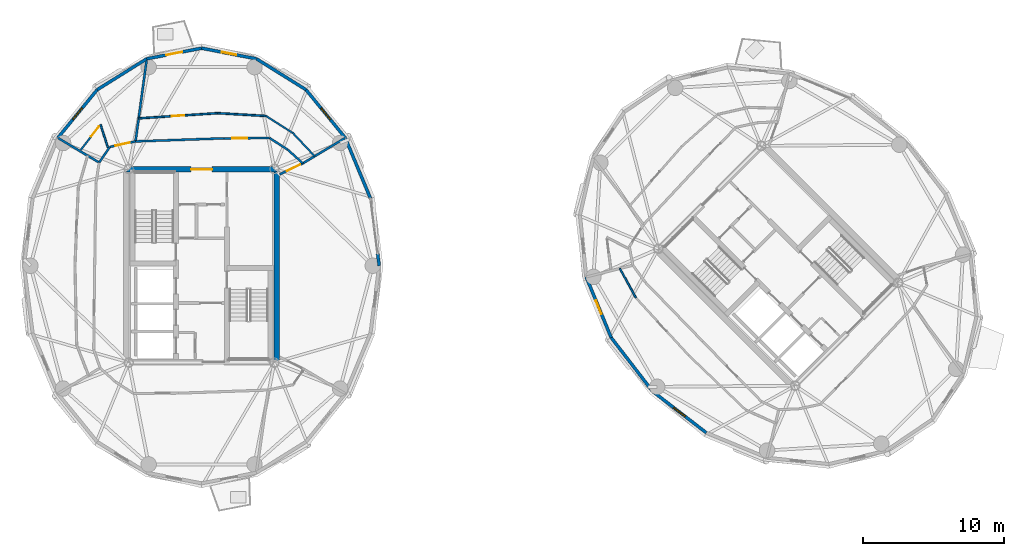
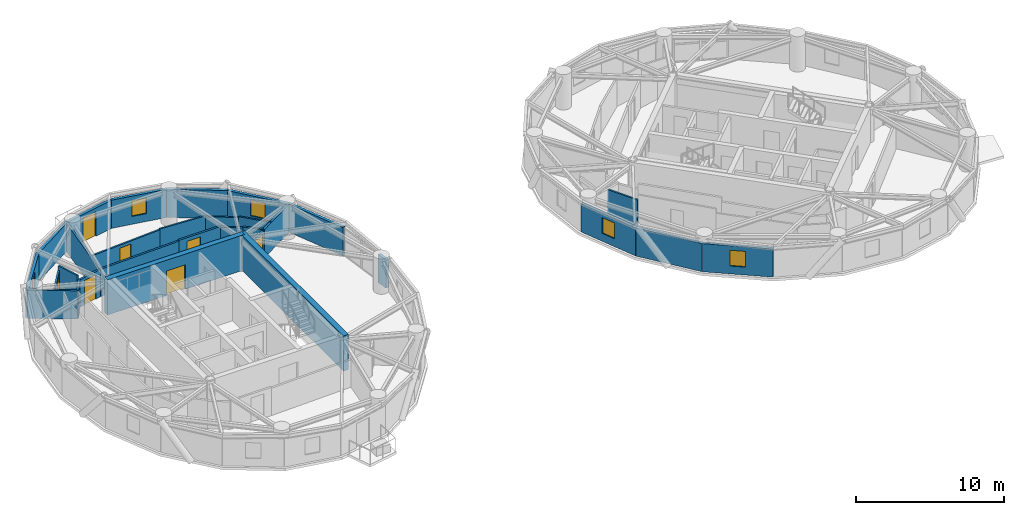
# One storey, part 9 of 16: 30 walls, 7 doors, 5 windows, 12 openings.
"""IFC4 building model written with IfcOpenShell, lengths in metres."""

import ifcopenshell
import ifcopenshell.guid

model = None  # the IFC model being written
_history = None  # IfcOwnerHistory: only IFC2X3 demands one
_inside = {}  # id of a spatial element -> (the spatial element, [elements in it])
_under = {}  # id of a project, library or spatial element -> (it, [spatial elements below it])
_declared = {}  # id of a project -> (the project, [libraries it declares])
_typed = {}  # id of a type object -> (the type object, [elements of that type])
_made_of = {}  # id of a material, layer set ... -> (it, [elements and type objects made of it])


def new_model(schema):
    """Start an empty IFC model of exactly this schema.

    Asked for "IFC4X3", IfcOpenShell would pick the latest addendum, in which some entities
    have other attributes; the version numbers below select the first issue.
    IFC2X3 requires an IfcOwnerHistory on every rooted entity: one is made here for all.
    """
    global model, _history
    if schema == "IFC4X3":
        model = ifcopenshell.file(schema_version=(4, 3, 0, 0))
    else:
        model = ifcopenshell.file(schema=schema)
    _inside.clear()
    _under.clear()
    _declared.clear()
    _typed.clear()
    _made_of.clear()
    _history = None
    if model.schema == "IFC2X3":
        org = make("IfcOrganization", Name="unknown")
        user = make(
            "IfcPersonAndOrganization",
            ThePerson=make("IfcPerson", FamilyName="unknown"),
            TheOrganization=org,
        )
        app = make(
            "IfcApplication",
            ApplicationDeveloper=org,
            Version="unknown",
            ApplicationFullName="unknown",
            ApplicationIdentifier="unknown",
        )
        _history = make(
            "IfcOwnerHistory",
            OwningUser=user,
            OwningApplication=app,
            ChangeAction="ADDED",
            CreationDate=0,
        )
    return model


def make(cls, **values):
    """One entity of the class cls with the attributes given. An attribute that is None is left unset."""
    return model.create_entity(
        cls, **{name: value for name, value in values.items() if value is not None}
    )


def rooted(cls, **values):
    """An entity with a GlobalId (a new one), such as an element, a storey or a relation."""
    return make(cls, GlobalId=ifcopenshell.guid.new(), OwnerHistory=_history, **values)


def si_unit(unit_type, name, prefix=None):
    """IfcSIUnit, for example si_unit("LENGTHUNIT", "METRE", prefix="MILLI")."""
    return make("IfcSIUnit", UnitType=unit_type, Prefix=prefix, Name=name)


def assignment(units):
    """IfcUnitAssignment: the units of a project."""
    return None if units is None else make("IfcUnitAssignment", Units=units)


def point(xyz):
    """IfcCartesianPoint."""
    return None if xyz is None else make("IfcCartesianPoint", Coordinates=xyz)


def direction(xyz):
    """IfcDirection."""
    return None if xyz is None else make("IfcDirection", DirectionRatios=xyz)


def frame(location, z_axis=None, x_axis=None):
    """IfcAxis2Placement3D, a coordinate frame: its origin and axes. An axis left out is left unset."""
    return make(
        "IfcAxis2Placement3D",
        Location=point(location),
        Axis=direction(z_axis),
        RefDirection=direction(x_axis),
    )


def frame_2d(location, x_axis=None):
    """IfcAxis2Placement2D, a coordinate frame in the plane: its origin and x axis."""
    return make(
        "IfcAxis2Placement2D", Location=point(location), RefDirection=direction(x_axis)
    )


def origin():
    """The frame at (0, 0, 0) with its axes left unset."""
    return frame((0.0, 0.0, 0.0))


def place(relative_to, where):
    """IfcLocalPlacement: puts the frame where relative to a parent placement (None: the world)."""
    return make(
        "IfcLocalPlacement", PlacementRelTo=relative_to, RelativePlacement=where
    )


def context(
    kind, dimensions, precision=None, world=None, true_north=None, identifier=None
):
    """IfcGeometricRepresentationContext, for example the 3D "Model" context."""
    return make(
        "IfcGeometricRepresentationContext",
        ContextIdentifier=identifier,
        ContextType=kind,
        CoordinateSpaceDimension=dimensions,
        Precision=precision,
        WorldCoordinateSystem=world,
        TrueNorth=true_north,
    )


def subcontext(parent, identifier, kind, view, scale=None):
    """IfcGeometricRepresentationSubContext, for example "Body" below "Model"."""
    return make(
        "IfcGeometricRepresentationSubContext",
        ContextIdentifier=identifier,
        ContextType=kind,
        ParentContext=parent,
        TargetScale=scale,
        TargetView=view,
    )


def project(units=None, contexts=None):
    """IfcProject with its units and contexts."""
    return rooted(
        "IfcProject",
        Name="project",
        RepresentationContexts=contexts,
        UnitsInContext=assignment(units),
    )


def spatial(cls, under=None, at=None, **own):
    """A site, building, storey or space (cls), placed at a placement, below another one or the project."""
    s = rooted(cls, ObjectPlacement=at, **own)
    if under is not None:
        _under.setdefault(under.id(), (under, []))[1].append(s)
    return s


def profile(cls, at=None, kind="AREA", **sizes):
    """A parametric profile (cls). Its sizes go by their IFC names, for example OverallWidth=200.0."""
    return make(cls, ProfileType=kind, Position=at, **sizes)


def rectangle(**sizes):
    """IfcRectangleProfileDef."""
    return profile("IfcRectangleProfileDef", **sizes)


def extrude(swept, where, along, depth):
    """IfcExtrudedAreaSolid: the profile swept, set in the frame where, extruded along a direction by depth."""
    return make(
        "IfcExtrudedAreaSolid",
        SweptArea=swept,
        Position=where,
        ExtrudedDirection=direction(along),
        Depth=depth,
    )


def shape(context_of_items, identifier, shape_type, items):
    """IfcShapeRepresentation: the items that make up one representation, for example the "Body"."""
    return make(
        "IfcShapeRepresentation",
        ContextOfItems=context_of_items,
        RepresentationIdentifier=identifier,
        RepresentationType=shape_type,
        Items=items,
    )


def source(mapping_origin, context_of_items, identifier, shape_type, items):
    """IfcRepresentationMap: a shape defined once, which mapped items show again and again."""
    return make(
        "IfcRepresentationMap",
        MappingOrigin=mapping_origin,
        MappedRepresentation=shape(context_of_items, identifier, shape_type, items),
    )


def transform(
    local_origin,
    x_axis=None,
    y_axis=None,
    z_axis=None,
    scale=None,
    scale2=None,
    scale3=None,
    uniform=True,
):
    """IfcCartesianTransformationOperator3D, or its non-uniform kind. x_axis, y_axis, z_axis: its Axis1, 2, 3."""
    if uniform:
        return make(
            "IfcCartesianTransformationOperator3D",
            Axis1=direction(x_axis),
            Axis2=direction(y_axis),
            LocalOrigin=point(local_origin),
            Scale=scale,
            Axis3=direction(z_axis),
        )
    return make(
        "IfcCartesianTransformationOperator3DnonUniform",
        Axis1=direction(x_axis),
        Axis2=direction(y_axis),
        LocalOrigin=point(local_origin),
        Scale=scale,
        Axis3=direction(z_axis),
        Scale2=scale2,
        Scale3=scale3,
    )


def mapped(mapping_source, mapping_target):
    """IfcMappedItem: shows the shape of a source again, moved by a transform."""
    return make(
        "IfcMappedItem", MappingSource=mapping_source, MappingTarget=mapping_target
    )


def material(Name=None, Category=None):
    """IfcMaterial."""
    return make("IfcMaterial", Name=Name, Category=Category)


def layer(
    of_material, thickness, ventilated=None, Name=None, Category=None, Priority=None
):
    """IfcMaterialLayer: one layer of a wall or slab, of a material (None: an air gap)."""
    return make(
        "IfcMaterialLayer",
        Material=of_material,
        LayerThickness=thickness,
        IsVentilated=ventilated,
        Name=Name,
        Category=Category,
        Priority=Priority,
    )


def layer_set(layers, Name=None):
    """IfcMaterialLayerSet."""
    return make("IfcMaterialLayerSet", MaterialLayers=layers, LayerSetName=Name)


def made_of(thing, what):
    """Note that an element or type object is made of a material, layer set ...; save() writes the relation."""
    if what is not None:
        _made_of.setdefault(what.id(), (what, []))[1].append(thing)
    return thing


def type_object(cls, material=None, **own):
    """A type object (cls), such as IfcWallType, which elements share."""
    return made_of(rooted(cls, **own), material)


def element(
    cls,
    number,
    at=None,
    inside=None,
    cuts=None,
    type_object=None,
    material=None,
    context=None,
    identifier="Body",
    shape_type=None,
    held_by="IfcProductDefinitionShape",
    body=None,
    shapes=None,
    **own,
):
    """One element of the class cls, such as IfcWall. Its Tag is "e" and its number.

    at: its placement. inside: the storey or other place that contains it. cuts: it is an
    opening in that element (IfcRelVoidsElement). A single representation is given by context,
    identifier, shape_type and body (its items); several are given by shapes. held_by: the class
    of the entity that holds the representations. save() writes the other relations.
    """
    e = rooted(cls, Tag="e%d" % number, ObjectPlacement=at, **own)
    if body is not None:
        shapes = [shape(context, identifier, shape_type, body)]
    if shapes is not None:
        e.Representation = make(held_by, Representations=shapes)
    if inside is not None:
        _inside.setdefault(inside.id(), (inside, []))[1].append(e)
    if cuts is not None:
        rooted(
            "IfcRelVoidsElement", RelatingBuildingElement=cuts, RelatedOpeningElement=e
        )
    if type_object is not None:
        _typed.setdefault(type_object.id(), (type_object, []))[1].append(e)
    return made_of(e, material)


def fill(opening, filler):
    """IfcRelFillsElement: the door or window that sits in an opening."""
    return rooted(
        "IfcRelFillsElement",
        RelatingOpeningElement=opening,
        RelatedBuildingElement=filler,
    )


def aggregate(whole, parts):
    """IfcRelAggregates: a whole, such as a stair, and the parts it consists of."""
    return rooted("IfcRelAggregates", RelatingObject=whole, RelatedObjects=parts)


def save(model, path):
    """Write the relations noted so far, then the file.

    IfcRelAggregates (storeys below a building ...), IfcRelContainedInSpatialStructure (elements
    in a storey), IfcRelDefinesByType, IfcRelAssociatesMaterial and IfcRelDeclares: one each for
    every whole, place, type object, material and project.
    """
    for whole, parts in _under.values():
        aggregate(whole, parts)
    for where, things in _inside.values():
        rooted(
            "IfcRelContainedInSpatialStructure",
            RelatedElements=things,
            RelatingStructure=where,
        )
    for kind, things in _typed.values():
        rooted("IfcRelDefinesByType", RelatedObjects=things, RelatingType=kind)
    for what, things in _made_of.values():
        rooted("IfcRelAssociatesMaterial", RelatedObjects=things, RelatingMaterial=what)
    for by, libraries in _declared.values():
        rooted("IfcRelDeclares", RelatingContext=by, RelatedDefinitions=libraries)
    model.write(path)


model = new_model("IFC4")

# Units and contexts
model_context = context("Model", 3, precision=1e-05, world=origin(), true_north=direction((0.0, 1.0)))
body_context = subcontext(model_context, "Body", "Model", "MODEL_VIEW")
ifc_project = project(units=[si_unit("LENGTHUNIT", "METRE"), si_unit("AREAUNIT", "SQUARE_METRE"), si_unit("VOLUMEUNIT", "CUBIC_METRE"), si_unit("PLANEANGLEUNIT", "RADIAN"), si_unit("MASSUNIT", "GRAM", prefix="KILO")], contexts=[model_context])

# Site, building, storey
site_placement = place(None, origin())
site = spatial("IfcSite", under=ifc_project, at=site_placement, CompositionType="ELEMENT")
building_placement = place(site_placement, origin())
building = spatial("IfcBuilding", under=site, at=building_placement, Name="Cununo Teusaquillo Station Towers", CompositionType="ELEMENT")
storey_placement = place(building_placement, frame((0.0, 0.0, 217.030029296875)))
storey = spatial("IfcBuildingStorey", under=building, at=storey_placement, Name="L69", CompositionType="ELEMENT", Elevation=217.030029296875)

# Wall
ifc_material_1 = material(Name="Concrete C50/60", Category="concrete")
ifc_layer_1 = layer(ifc_material_1, 0.39990234375)
ifc_layer_set_1 = layer_set([ifc_layer_1], Name="Concrete C50/60")
wall_type_1 = type_object("IfcWallType", Name="WL-CORE-400", PredefinedType="SHEAR", material=ifc_layer_set_1)
wall_1_placement = place(storey_placement, frame((21.85009765625, 17.449951171875, 0.0), z_axis=(0.0, 0.0, 1.0), x_axis=(0.0, 1.0, 0.0)))
element("IfcWall", 1, at=wall_1_placement, inside=storey, type_object=wall_type_1, Name="L69 Tower A Core Shear Wall E", PredefinedType="SHEAR", context=body_context, shape_type="SweptSolid", body=[
    extrude(rectangle(XDim=14.10009765625, YDim=0.39990234375, at=frame_2d((7.050048828125, 0.0))), origin(), (0.0, 0.0, 1.0), 2.909912109375),
])

# Wall, opening, door
wall_2_placement = place(storey_placement, frame((11.14990234375, 31.35009765625, 0.0), z_axis=(0.0, 0.0, 1.0), x_axis=(1.0, 0.0, 0.0)))
wall_2 = element("IfcWall", 2, at=wall_2_placement, inside=storey, type_object=wall_type_1, Name="L69 Tower A Core Shear Wall N", PredefinedType="SHEAR", context=body_context, shape_type="SweptSolid", body=[
    extrude(rectangle(XDim=10.7001953125, YDim=0.39990234375, at=frame_2d((5.35009765625, 0.0))), origin(), (0.0, 0.0, 1.0), 2.909912109375),
])
shared_shape_1 = source(origin(), body_context, "Body", "SweptSolid", [
    extrude(rectangle(XDim=1.5, YDim=2.02001953125, at=frame_2d((0.75, 1.010009765625))), frame((0.0, 0.2099609375, 0.0), z_axis=(0.0, -1.0, 0.0), x_axis=(1.0, 0.0, 0.0)), (0.0, 0.0, 1.0), 0.419921875),
])
opening_1_placement = place(wall_2_placement, frame((4.60009765625, 0.0, 0.0)))
opening_1 = element("IfcOpeningElement", 3, at=opening_1_placement, cuts=wall_2, Name="Opening D-LB1", PredefinedType="OPENING", context=body_context, shape_type="MappedRepresentation", body=[
    mapped(shared_shape_1, transform((0.0, 0.0, 0.0), x_axis=(1.0, 0.0, 0.0), y_axis=(0.0, 1.0, 0.0), z_axis=(0.0, 0.0, 1.0), scale=1.0)),
])
ifc_material_2 = material(Name="Galvanised fire-rated hollow steel door assembly", Category="steel")
door_type_1 = type_object("IfcDoorType", Name="DR-LOBBY-1500", OperationType="DOUBLE_DOOR_SINGLE_SWING", PredefinedType="DOOR", material=ifc_material_2)
shared_shape_2 = source(origin(), body_context, "Body", "SweptSolid", [
    extrude(rectangle(XDim=1.5, YDim=2.02001953125, at=frame_2d((0.75, 1.010009765625))), frame((0.0, 0.02490234375, 0.0), z_axis=(0.0, -1.0, 0.0), x_axis=(1.0, 0.0, 0.0)), (0.0, 0.0, 1.0), 0.050048828125),
])
door_1_placement = place(opening_1_placement, origin())
door_1 = element("IfcDoor", 4, at=door_1_placement, inside=storey, type_object=door_type_1, Name="L69 Tower A North Core Lift Lobby Door", OperationType="DOUBLE_DOOR_SINGLE_SWING", OverallHeight=2.02001953125, OverallWidth=1.5, PredefinedType="DOOR", context=body_context, shape_type="MappedRepresentation", body=[
    mapped(shared_shape_2, transform((0.0, 0.0, 0.0), x_axis=(1.0, 0.0, 0.0), y_axis=(0.0, 1.0, 0.0), z_axis=(0.0, 0.0, 1.0), scale=1.0)),
])
fill(opening_1, door_1)

# Walls
ifc_material_3 = material(Name="Precast concrete C40/50", Category="concrete")
ifc_layer_2 = layer(ifc_material_3, 0.219970703125)
ifc_layer_set_2 = layer_set([ifc_layer_2], Name="Precast concrete C40/50")
wall_type_2 = type_object("IfcWallType", Name="WL-EXT-220", PredefinedType="SOLIDWALL", material=ifc_layer_set_2)
wall_3_placement = place(storey_placement, frame((29.018310546875, 25.36279296875, 0.0), z_axis=(0.0, 0.0, 1.0), x_axis=(0.128247365719, -0.991742211054, 0.0)))
element("IfcWall", 5, at=wall_3_placement, inside=storey, type_object=wall_type_2, Name="L69 Tower A Column Pier Cladding Wall C00-PB", PredefinedType="SOLIDWALL", context=body_context, shape_type="SweptSolid", body=[
    extrude(rectangle(XDim=0.869873046875, YDim=0.219970703125, at=frame_2d((0.43505859375, 0.0))), origin(), (0.0, 0.0, 1.0), 2.322021484375),
])
wall_4_placement = place(storey_placement, frame((26.718017578125, 33.593017578125, 0.0), z_axis=(0.0, 0.0, 1.0), x_axis=(0.384036305194, -0.923317993052, 0.0)))
element("IfcWall", 6, at=wall_4_placement, inside=storey, type_object=wall_type_2, Name="L69 Tower A Exterior Facade Wall C01", PredefinedType="SOLIDWALL", context=body_context, shape_type="SweptSolid", body=[
    extrude(rectangle(XDim=4.670654296875, YDim=0.219970703125, at=frame_2d((2.33544921875, 0.0))), origin(), (0.0, 0.0, 1.0), 2.322021484375),
])

# Wall, opening, window
wall_5_placement = place(storey_placement, frame((23.923583984375, 37.015380859375, 0.0), z_axis=(0.0, 0.0, 1.0), x_axis=(0.632467166636, -0.774587169483, 0.0)))
wall_5 = element("IfcWall", 7, at=wall_5_placement, inside=storey, type_object=wall_type_2, Name="L69 Tower A Exterior Facade Wall C02", PredefinedType="SOLIDWALL", context=body_context, shape_type="SweptSolid", body=[
    extrude(rectangle(XDim=4.418212890625, YDim=0.219970703125, at=frame_2d((2.208984375, 0.0))), origin(), (0.0, 0.0, 1.0), 2.322021484375),
])
shared_shape_3 = source(origin(), body_context, "Body", "SweptSolid", [
    extrude(rectangle(XDim=1.050048828125, YDim=1.300048828125, at=frame_2d((0.52490234375, 0.64990234375))), frame((0.0, 0.119873046875, 0.0), z_axis=(0.0, -1.0, 0.0), x_axis=(1.0, 0.0, 0.0)), (0.0, 0.0, 1.0), 0.239990234375),
])
opening_2_placement = place(wall_5_placement, frame((1.68408203125, 0.0, 0.64990234375)))
opening_2 = element("IfcOpeningElement", 8, at=opening_2_placement, cuts=wall_5, Name="Opening WN-04", PredefinedType="OPENING", context=body_context, shape_type="MappedRepresentation", body=[
    mapped(shared_shape_3, transform((0.0, 0.0, 0.0), x_axis=(1.0, 0.0, 0.0), y_axis=(0.0, 1.0, 0.0), z_axis=(0.0, 0.0, 1.0), scale=1.0)),
])
ifc_material_4 = material(Name="Operable acoustic tinted low-E double glazing", Category="glass")
window_type = type_object("IfcWindowType", Name="WIN-BAL-1050", PartitioningType="SINGLE_PANEL", PredefinedType="WINDOW", material=ifc_material_4)
shared_shape_4 = source(origin(), body_context, "Body", "SweptSolid", [
    extrude(rectangle(XDim=1.050048828125, YDim=1.300048828125, at=frame_2d((0.52490234375, 0.64990234375))), frame((0.0, 0.030029296875, 0.0), z_axis=(0.0, -1.0, 0.0), x_axis=(1.0, 0.0, 0.0)), (0.0, 0.0, 1.0), 0.06005859375),
])
window_1_placement = place(opening_2_placement, origin())
window_1 = element("IfcWindow", 9, at=window_1_placement, inside=storey, type_object=window_type, Name="L69 Tower A Facade Window C02", OverallHeight=1.300048828125, OverallWidth=1.050048828125, PartitioningType="SINGLE_PANEL", PredefinedType="WINDOW", context=body_context, shape_type="MappedRepresentation", body=[
    mapped(shared_shape_4, transform((0.0, 0.0, 0.0), x_axis=(1.0, 0.0, 0.0), y_axis=(0.0, 1.0, 0.0), z_axis=(0.0, 0.0, 1.0), scale=1.0)),
])
fill(opening_2, window_1)

# Wall
wall_6_placement = place(storey_placement, frame((20.40283203125, 39.212890625, 0.0), z_axis=(0.0, 0.0, 1.0), x_axis=(0.848318713376, -0.529485939886, 0.0)))
element("IfcWall", 10, at=wall_6_placement, inside=storey, type_object=wall_type_2, Name="L69 Tower A Exterior Facade Wall C03", PredefinedType="SOLIDWALL", context=body_context, shape_type="SweptSolid", body=[
    extrude(rectangle(XDim=4.150390625, YDim=0.219970703125, at=frame_2d((2.0751953125, 0.0))), origin(), (0.0, 0.0, 1.0), 2.322021484375),
])

# Wall, opening, window
wall_7_placement = place(storey_placement, frame((16.5, 39.969970703125, 0.0), z_axis=(0.0, 0.0, 1.0), x_axis=(0.981700307484, -0.190432419211, 0.0)))
wall_7 = element("IfcWall", 11, at=wall_7_placement, inside=storey, type_object=wall_type_2, Name="L69 Tower A Exterior Facade Wall C04", PredefinedType="SOLIDWALL", context=body_context, shape_type="SweptSolid", body=[
    extrude(rectangle(XDim=3.9755859375, YDim=0.219970703125, at=frame_2d((1.98779296875, 0.0))), origin(), (0.0, 0.0, 1.0), 2.322021484375),
])
opening_3_placement = place(wall_7_placement, frame((1.462890625, 0.0, 0.64990234375)))
opening_3 = element("IfcOpeningElement", 12, at=opening_3_placement, cuts=wall_7, Name="Opening WN-04", PredefinedType="OPENING", context=body_context, shape_type="MappedRepresentation", body=[
    mapped(shared_shape_3, transform((0.0, 0.0, 0.0), x_axis=(1.0, 0.0, 0.0), y_axis=(0.0, 1.0, 0.0), z_axis=(0.0, 0.0, 1.0), scale=1.0)),
])
window_2_placement = place(opening_3_placement, origin())
window_2 = element("IfcWindow", 13, at=window_2_placement, inside=storey, type_object=window_type, Name="L69 Tower A Facade Window C04", OverallHeight=1.300048828125, OverallWidth=1.050048828125, PartitioningType="SINGLE_PANEL", PredefinedType="WINDOW", context=body_context, shape_type="MappedRepresentation", body=[
    mapped(shared_shape_4, transform((0.0, 0.0, 0.0), x_axis=(1.0, 0.0, 0.0), y_axis=(0.0, 1.0, 0.0), z_axis=(0.0, 0.0, 1.0), scale=1.0)),
])
fill(opening_3, window_2)

# Wall, opening, door
wall_8_placement = place(storey_placement, frame((12.59716796875, 39.212890625, 0.0), z_axis=(0.0, 0.0, 1.0), x_axis=(0.981700307484, 0.190432419211, 0.0)))
wall_8 = element("IfcWall", 14, at=wall_8_placement, inside=storey, type_object=wall_type_2, Name="L69 Tower A Exterior Facade Wall C05", PredefinedType="SOLIDWALL", context=body_context, shape_type="SweptSolid", body=[
    extrude(rectangle(XDim=3.9755859375, YDim=0.219970703125, at=frame_2d((1.98779296875, 0.0))), origin(), (0.0, 0.0, 1.0), 2.322021484375),
])
shared_shape_5 = source(origin(), body_context, "Body", "SweptSolid", [
    extrude(rectangle(XDim=1.14990234375, YDim=2.0048828125, at=frame_2d((0.574951171875, 1.00244140625))), frame((0.0, 0.119873046875, 0.0), z_axis=(0.0, -1.0, 0.0), x_axis=(1.0, 0.0, 0.0)), (0.0, 0.0, 1.0), 0.239990234375),
])
opening_4_placement = place(wall_8_placement, frame((1.4130859375, 0.0, 0.0)))
opening_4 = element("IfcOpeningElement", 15, at=opening_4_placement, cuts=wall_8, Name="Opening ED-03", PredefinedType="OPENING", context=body_context, shape_type="MappedRepresentation", body=[
    mapped(shared_shape_5, transform((0.0, 0.0, 0.0), x_axis=(1.0, 0.0, 0.0), y_axis=(0.0, 1.0, 0.0), z_axis=(0.0, 0.0, 1.0), scale=1.0)),
])
ifc_material_5 = material(Name="Anodised dark bronze aluminium EN AW-6063-T6", Category="aluminium")
door_type_2 = type_object("IfcDoorType", Name="DR-EXT-BAL", OperationType="NOTDEFINED", PredefinedType="DOOR", material=ifc_material_5)
shared_shape_6 = source(origin(), body_context, "Body", "SweptSolid", [
    extrude(rectangle(XDim=1.14990234375, YDim=2.0048828125, at=frame_2d((0.574951171875, 1.00244140625))), frame((0.0, 0.02490234375, 0.0), z_axis=(0.0, -1.0, 0.0), x_axis=(1.0, 0.0, 0.0)), (0.0, 0.0, 1.0), 0.050048828125),
])
door_2_placement = place(opening_4_placement, origin())
door_2 = element("IfcDoor", 16, at=door_2_placement, inside=storey, type_object=door_type_2, Name="L69 Tower A Tree Balcony Door C05", OperationType="SINGLE_SWING_LEFT", OverallHeight=2.0048828125, OverallWidth=1.14990234375, PredefinedType="DOOR", context=body_context, shape_type="MappedRepresentation", body=[
    mapped(shared_shape_6, transform((0.0, 0.0, 0.0), x_axis=(1.0, 0.0, 0.0), y_axis=(0.0, 1.0, 0.0), z_axis=(0.0, 0.0, 1.0), scale=1.0)),
])
fill(opening_4, door_2)

# Wall
wall_9_placement = place(storey_placement, frame((9.076416015625, 37.015380859375, 0.0), z_axis=(0.0, 0.0, 1.0), x_axis=(0.848318713376, 0.529485939886, 0.0)))
element("IfcWall", 17, at=wall_9_placement, inside=storey, type_object=wall_type_2, Name="L69 Tower A Exterior Facade Wall C06", PredefinedType="SOLIDWALL", context=body_context, shape_type="SweptSolid", body=[
    extrude(rectangle(XDim=4.150390625, YDim=0.219970703125, at=frame_2d((2.0751953125, 0.0))), origin(), (0.0, 0.0, 1.0), 2.322021484375),
])

# Wall, opening, window
wall_10_placement = place(storey_placement, frame((6.281982421875, 33.593017578125, 0.0), z_axis=(0.0, 0.0, 1.0), x_axis=(0.632467166636, 0.774587169483, 0.0)))
wall_10 = element("IfcWall", 18, at=wall_10_placement, inside=storey, type_object=wall_type_2, Name="L69 Tower A Exterior Facade Wall C07", PredefinedType="SOLIDWALL", context=body_context, shape_type="SweptSolid", body=[
    extrude(rectangle(XDim=4.418212890625, YDim=0.219970703125, at=frame_2d((2.208984375, 0.0))), origin(), (0.0, 0.0, 1.0), 2.322021484375),
])
opening_5_placement = place(wall_10_placement, frame((1.68408203125, 0.0, 0.64990234375)))
opening_5 = element("IfcOpeningElement", 19, at=opening_5_placement, cuts=wall_10, Name="Opening WN-04", PredefinedType="OPENING", context=body_context, shape_type="MappedRepresentation", body=[
    mapped(shared_shape_3, transform((0.0, 0.0, 0.0), x_axis=(1.0, 0.0, 0.0), y_axis=(0.0, 1.0, 0.0), z_axis=(0.0, 0.0, 1.0), scale=1.0)),
])
window_3_placement = place(opening_5_placement, origin())
window_3 = element("IfcWindow", 20, at=window_3_placement, inside=storey, type_object=window_type, Name="L69 Tower A Facade Window C07", OverallHeight=1.300048828125, OverallWidth=1.050048828125, PartitioningType="SINGLE_PANEL", PredefinedType="WINDOW", context=body_context, shape_type="MappedRepresentation", body=[
    mapped(shared_shape_4, transform((0.0, 0.0, 0.0), x_axis=(1.0, 0.0, 0.0), y_axis=(0.0, 1.0, 0.0), z_axis=(0.0, 0.0, 1.0), scale=1.0)),
])
fill(opening_5, window_3)

wall_11_placement = place(storey_placement, frame((45.626220703125, 19.38671875, 0.0), z_axis=(0.0, 0.0, 1.0), x_axis=(-0.381309704956, 0.924447353237, 0.0)))
wall_11 = element("IfcWall", 21, at=wall_11_placement, inside=storey, type_object=wall_type_2, Name="L69 Tower B Exterior Facade Wall C08", PredefinedType="SOLIDWALL", context=body_context, shape_type="SweptSolid", body=[
    extrude(rectangle(XDim=4.670654296875, YDim=0.219970703125, at=frame_2d((2.33544921875, 0.0))), origin(), (0.0, 0.0, 1.0), 2.322021484375),
])
opening_6_placement = place(wall_11_placement, frame((1.81005859375, 0.0, 0.64990234375)))
opening_6 = element("IfcOpeningElement", 22, at=opening_6_placement, cuts=wall_11, Name="Opening WN-04", PredefinedType="OPENING", context=body_context, shape_type="MappedRepresentation", body=[
    mapped(shared_shape_3, transform((0.0, 0.0, 0.0), x_axis=(1.0, 0.0, 0.0), y_axis=(0.0, 1.0, 0.0), z_axis=(0.0, 0.0, 1.0), scale=1.0)),
])
window_4_placement = place(opening_6_placement, origin())
window_4 = element("IfcWindow", 23, at=window_4_placement, inside=storey, type_object=window_type, Name="L69 Tower B Facade Window C08", OverallHeight=1.300048828125, OverallWidth=1.050048828125, PartitioningType="SINGLE_PANEL", PredefinedType="WINDOW", context=body_context, shape_type="MappedRepresentation", body=[
    mapped(shared_shape_4, transform((0.0, 0.0, 0.0), x_axis=(1.0, 0.0, 0.0), y_axis=(0.0, 1.0, 0.0), z_axis=(0.0, 0.0, 1.0), scale=1.0)),
])
fill(opening_6, window_4)

# Wall
wall_12_placement = place(storey_placement, frame((48.569091796875, 15.569091796875, 0.0), z_axis=(0.0, 0.0, 1.0), x_axis=(-0.610523083886, 0.791998462147, 0.0)))
element("IfcWall", 24, at=wall_12_placement, inside=storey, type_object=wall_type_2, Name="L69 Tower B Exterior Facade Wall C09", PredefinedType="SOLIDWALL", context=body_context, shape_type="SweptSolid", body=[
    extrude(rectangle(XDim=4.8203125, YDim=0.219970703125, at=frame_2d((2.41015625, 0.0))), origin(), (0.0, 0.0, 1.0), 2.322021484375),
])

# Wall, opening, window
wall_13_placement = place(storey_placement, frame((52.38671875, 12.626220703125, 0.0), z_axis=(0.0, 0.0, 1.0), x_axis=(-0.791998462147, 0.610523083886, 0.0)))
wall_13 = element("IfcWall", 25, at=wall_13_placement, inside=storey, type_object=wall_type_2, Name="L69 Tower B Exterior Facade Wall C10", PredefinedType="SOLIDWALL", context=body_context, shape_type="SweptSolid", body=[
    extrude(rectangle(XDim=4.8203125, YDim=0.219970703125, at=frame_2d((2.41015625, 0.0))), origin(), (0.0, 0.0, 1.0), 2.322021484375),
])
opening_7_placement = place(wall_13_placement, frame((1.885009765625, 0.0, 0.64990234375)))
opening_7 = element("IfcOpeningElement", 26, at=opening_7_placement, cuts=wall_13, Name="Opening WN-04", PredefinedType="OPENING", context=body_context, shape_type="MappedRepresentation", body=[
    mapped(shared_shape_3, transform((0.0, 0.0, 0.0), x_axis=(1.0, 0.0, 0.0), y_axis=(0.0, 1.0, 0.0), z_axis=(0.0, 0.0, 1.0), scale=1.0)),
])
window_5_placement = place(opening_7_placement, origin())
window_5 = element("IfcWindow", 27, at=window_5_placement, inside=storey, type_object=window_type, Name="L69 Tower B Facade Window C10", OverallHeight=1.300048828125, OverallWidth=1.050048828125, PartitioningType="SINGLE_PANEL", PredefinedType="WINDOW", context=body_context, shape_type="MappedRepresentation", body=[
    mapped(shared_shape_4, transform((0.0, 0.0, 0.0), x_axis=(1.0, 0.0, 0.0), y_axis=(0.0, 1.0, 0.0), z_axis=(0.0, 0.0, 1.0), scale=1.0)),
])
fill(opening_7, window_5)

# Walls
ifc_material_6 = material(Name="Fire-rated gypsum plasterboard partition assembly", Category="gypsum")
ifc_layer_3 = layer(ifc_material_6, 0.125)
ifc_layer_set_3 = layer_set([ifc_layer_3], Name="Fire-rated gypsum plasterboard partition assembly")
wall_type_3 = type_object("IfcWallType", Name="WL-PART-125", PredefinedType="PARTITIONING", material=ifc_layer_set_3)
wall_14_placement = place(storey_placement, frame((24.54150390625, 32.288330078125, 0.0), z_axis=(0.0, 0.0, 1.0), x_axis=(-0.68501091047, 0.72853280814, 0.0)))
element("IfcWall", 28, at=wall_14_placement, inside=storey, type_object=wall_type_3, Name="L69 Tower A Summit Champagne & Dining Salon Concentric Partition Wall C02", PredefinedType="PARTITIONING", context=body_context, shape_type="SweptSolid", body=[
    extrude(rectangle(XDim=2.2607421875, YDim=0.125, at=frame_2d((1.13037109375, 0.0))), origin(), (0.0, 0.0, 1.0), 2.322021484375),
])
wall_15_placement = place(storey_placement, frame((22.992919921875, 33.935302734375, 0.0), z_axis=(0.0, 0.0, 1.0), x_axis=(-0.844312558894, 0.535851008112, 0.0)))
element("IfcWall", 29, at=wall_15_placement, inside=storey, type_object=wall_type_3, Name="L69 Tower A Summit Champagne & Dining Salon Concentric Partition Wall C03", PredefinedType="PARTITIONING", context=body_context, shape_type="SweptSolid", body=[
    extrude(rectangle(XDim=2.267578125, YDim=0.125, at=frame_2d((1.1337890625, 0.0))), origin(), (0.0, 0.0, 1.0), 2.2548828125),
])
wall_16_placement = place(storey_placement, frame((21.078369140625, 35.150390625, 0.0), z_axis=(0.0, 0.0, 1.0), x_axis=(-0.99833900121, 0.057612834184, 0.0)))
element("IfcWall", 30, at=wall_16_placement, inside=storey, type_object=wall_type_3, Name="L69 Tower A Summit Champagne & Dining Salon Concentric Partition Wall C04", PredefinedType="PARTITIONING", context=body_context, shape_type="SweptSolid", body=[
    extrude(rectangle(XDim=3.445068359375, YDim=0.125, at=frame_2d((1.72265625, 0.0))), origin(), (0.0, 0.0, 1.0), 2.322021484375),
])

# Wall, opening, door
wall_17_placement = place(storey_placement, frame((17.638916015625, 35.348876953125, 0.0), z_axis=(0.0, 0.0, 1.0), x_axis=(-0.997849042159, -0.065553711275, 0.0)))
wall_17 = element("IfcWall", 31, at=wall_17_placement, inside=storey, type_object=wall_type_3, Name="L69 Tower A Summit Champagne & Dining Salon Concentric Partition Wall C05", PredefinedType="PARTITIONING", context=body_context, shape_type="SweptSolid", body=[
    extrude(rectangle(XDim=5.623779296875, YDim=0.125, at=frame_2d((2.81201171875, 0.0))), origin(), (0.0, 0.0, 1.0), 2.2548828125),
])
shared_shape_7 = source(origin(), body_context, "Body", "SweptSolid", [
    extrude(rectangle(XDim=0.89990234375, YDim=2.0048828125, at=frame_2d((0.449951171875, 1.00244140625))), frame((0.0, 0.072509765625, 0.0), z_axis=(0.0, -1.0, 0.0), x_axis=(1.0, 0.0, 0.0)), (0.0, 0.0, 1.0), 0.14501953125),
])
opening_8_placement = place(wall_17_placement, frame((2.36181640625, 0.0, 0.0)))
opening_8 = element("IfcOpeningElement", 32, at=opening_8_placement, cuts=wall_17, Name="Opening D-IN1", PredefinedType="OPENING", context=body_context, shape_type="MappedRepresentation", body=[
    mapped(shared_shape_7, transform((0.0, 0.0, 0.0), x_axis=(1.0, 0.0, 0.0), y_axis=(0.0, 1.0, 0.0), z_axis=(0.0, 0.0, 1.0), scale=1.0)),
])
ifc_material_7 = material(Name="Acoustic solid-core hardwood leaf assembly", Category="wood")
door_type_3 = type_object("IfcDoorType", Name="DR-INT-900", OperationType="NOTDEFINED", PredefinedType="DOOR", material=ifc_material_7)
shared_shape_8 = source(origin(), body_context, "Body", "SweptSolid", [
    extrude(rectangle(XDim=0.89990234375, YDim=2.0048828125, at=frame_2d((0.449951171875, 1.00244140625))), frame((0.0, 0.02490234375, 0.0), z_axis=(0.0, -1.0, 0.0), x_axis=(1.0, 0.0, 0.0)), (0.0, 0.0, 1.0), 0.050048828125),
])
door_3_placement = place(opening_8_placement, origin())
door_3 = element("IfcDoor", 33, at=door_3_placement, inside=storey, type_object=door_type_3, Name="L69 Tower A Summit Champagne & Dining Salon Connecting Door", OperationType="SINGLE_SWING_RIGHT", OverallHeight=2.0048828125, OverallWidth=0.89990234375, PredefinedType="DOOR", context=body_context, shape_type="MappedRepresentation", body=[
    mapped(shared_shape_8, transform((0.0, 0.0, 0.0), x_axis=(1.0, 0.0, 0.0), y_axis=(0.0, 1.0, 0.0), z_axis=(0.0, 0.0, 1.0), scale=1.0)),
])
fill(opening_8, door_3)

# Wall
wall_18_placement = place(storey_placement, frame((9.83544921875, 32.906005859375, 0.0), z_axis=(0.0, 0.0, 1.0), x_axis=(-0.300376803481, 0.953820620416, 0.0)))
element("IfcWall", 34, at=wall_18_placement, inside=storey, type_object=wall_type_3, Name="L69 Tower A S02 En-suite Side Wall", PredefinedType="PARTITIONING", context=body_context, shape_type="SweptSolid", body=[
    extrude(rectangle(XDim=1.718994140625, YDim=0.125, at=frame_2d((0.859375, 0.0))), origin(), (0.0, 0.0, 1.0), 2.68505859375),
])

# Wall, opening, door
wall_19_placement = place(storey_placement, frame((9.2763671875, 34.49072265625, 0.0), z_axis=(0.0, 0.0, 1.0), x_axis=(-0.615039973806, -0.788495929362, 0.0)))
wall_19 = element("IfcWall", 35, at=wall_19_placement, inside=storey, type_object=wall_type_3, Name="L69 Tower A S02 En-suite Back Wall", PredefinedType="PARTITIONING", context=body_context, shape_type="SweptSolid", body=[
    extrude(rectangle(XDim=2.22802734375, YDim=0.125, at=frame_2d((1.114013671875, 0.0))), origin(), (0.0, 0.0, 1.0), 2.322021484375),
])
opening_9_placement = place(wall_19_placement, frame((0.1201171875, 0.0, 0.0)))
opening_9 = element("IfcOpeningElement", 36, at=opening_9_placement, cuts=wall_19, Name="Opening D-IN1", PredefinedType="OPENING", context=body_context, shape_type="MappedRepresentation", body=[
    mapped(shared_shape_7, transform((0.0, 0.0, 0.0), x_axis=(1.0, 0.0, 0.0), y_axis=(0.0, 1.0, 0.0), z_axis=(0.0, 0.0, 1.0), scale=1.0)),
])
door_4_placement = place(opening_9_placement, origin())
door_4 = element("IfcDoor", 37, at=door_4_placement, inside=storey, type_object=door_type_3, Name="L69 Tower A S02 En-suite Bathroom Door", OperationType="SINGLE_SWING_RIGHT", OverallHeight=2.0048828125, OverallWidth=0.89990234375, PredefinedType="DOOR", context=body_context, shape_type="MappedRepresentation", body=[
    mapped(shared_shape_8, transform((0.0, 0.0, 0.0), x_axis=(1.0, 0.0, 0.0), y_axis=(0.0, 1.0, 0.0), z_axis=(0.0, 0.0, 1.0), scale=1.0)),
])
fill(opening_9, door_4)

# Walls
wall_20_placement = place(storey_placement, frame((46.239501953125, 24.306884765625, 0.0), z_axis=(0.0, 0.0, 1.0), x_axis=(0.479212341296, -0.87769899849, 0.0)))
element("IfcWall", 38, at=wall_20_placement, inside=storey, type_object=wall_type_3, Name="L69 Tower B Cordillera Pinnacle Club Concentric Partition Wall C08", PredefinedType="PARTITIONING", context=body_context, shape_type="SweptSolid", body=[
    extrude(rectangle(XDim=2.3740234375, YDim=0.125, at=frame_2d((1.18701171875, 0.0))), origin(), (0.0, 0.0, 1.0), 2.2548828125),
])
ifc_material_8 = material(Name="Fire-rated gypsum plasterboard partition assembly", Category="gypsum")
ifc_layer_4 = layer(ifc_material_8, 0.14990234375)
ifc_layer_set_4 = layer_set([ifc_layer_4], Name="Fire-rated gypsum plasterboard partition assembly")
wall_type_4 = type_object("IfcWallType", Name="WL-PART-150", PredefinedType="PARTITIONING", material=ifc_layer_set_4)
wall_21_placement = place(storey_placement, frame((23.701416015625, 31.78564453125, 0.0), z_axis=(0.0, 0.0, 1.0), x_axis=(-0.743742806382, 0.668465883913, 0.0)))
element("IfcWall", 39, at=wall_21_placement, inside=storey, type_object=wall_type_4, Name="L69 Tower A Corridor Ring Wall C02", PredefinedType="PARTITIONING", context=body_context, shape_type="SweptSolid", body=[
    extrude(rectangle(XDim=1.43359375, YDim=0.14990234375, at=frame_2d((0.716796875, 0.0))), origin(), (0.0, 0.0, 1.0), 2.322021484375),
])
wall_22_placement = place(storey_placement, frame((22.63525390625, 32.743896484375, 0.0), z_axis=(0.0, 0.0, 1.0), x_axis=(-0.840119270642, 0.542401706391, 0.0)))
element("IfcWall", 40, at=wall_22_placement, inside=storey, type_object=wall_type_4, Name="L69 Tower A Corridor Ring Wall C03", PredefinedType="PARTITIONING", context=body_context, shape_type="SweptSolid", body=[
    extrude(rectangle(XDim=1.53759765625, YDim=0.14990234375, at=frame_2d((0.768798828125, 0.0))), origin(), (0.0, 0.0, 1.0), 2.2548828125),
])

# Wall, opening, door
wall_23_placement = place(storey_placement, frame((21.343505859375, 33.577880859375, 0.0), z_axis=(0.0, 0.0, 1.0), x_axis=(-0.999984243152, -0.005613684, 0.0)))
wall_23 = element("IfcWall", 41, at=wall_23_placement, inside=storey, type_object=wall_type_4, Name="L69 Tower A Corridor Ring Wall C04", PredefinedType="PARTITIONING", context=body_context, shape_type="SweptSolid", body=[
    extrude(rectangle(XDim=3.26171875, YDim=0.14990234375, at=frame_2d((1.630859375, 0.0))), origin(), (0.0, 0.0, 1.0), 2.322021484375),
])
shared_shape_9 = source(origin(), body_context, "Body", "SweptSolid", [
    extrude(rectangle(XDim=1.050048828125, YDim=2.014892578125, at=frame_2d((0.52490234375, 1.00732421875))), frame((0.0, 0.0849609375, 0.0), z_axis=(0.0, -1.0, 0.0), x_axis=(1.0, 0.0, 0.0)), (0.0, 0.0, 1.0), 0.169921875),
])
opening_10_placement = place(wall_23_placement, frame((1.598876953125, 0.0, 0.0)))
opening_10 = element("IfcOpeningElement", 42, at=opening_10_placement, cuts=wall_23, Name="Opening D-SU1", PredefinedType="OPENING", context=body_context, shape_type="MappedRepresentation", body=[
    mapped(shared_shape_9, transform((0.0, 0.0, 0.0), x_axis=(1.0, 0.0, 0.0), y_axis=(0.0, 1.0, 0.0), z_axis=(0.0, 0.0, 1.0), scale=1.0)),
])
ifc_material_9 = material(Name="Acoustic solid-core hardwood leaf assembly", Category="wood")
door_type_4 = type_object("IfcDoorType", Name="DR-SUITE-1050", OperationType="NOTDEFINED", PredefinedType="DOOR", material=ifc_material_9)
shared_shape_10 = source(origin(), body_context, "Body", "SweptSolid", [
    extrude(rectangle(XDim=1.050048828125, YDim=2.014892578125, at=frame_2d((0.52490234375, 1.00732421875))), frame((0.0, 0.02490234375, 0.0), z_axis=(0.0, -1.0, 0.0), x_axis=(1.0, 0.0, 0.0)), (0.0, 0.0, 1.0), 0.050048828125),
])
door_5_placement = place(opening_10_placement, origin())
door_5 = element("IfcDoor", 43, at=door_5_placement, inside=storey, type_object=door_type_4, Name="L69 Tower A Summit Champagne & Dining Salon Entrance Door", OperationType="SINGLE_SWING_LEFT", OverallHeight=2.014892578125, OverallWidth=1.050048828125, PredefinedType="DOOR", context=body_context, shape_type="MappedRepresentation", body=[
    mapped(shared_shape_10, transform((0.0, 0.0, 0.0), x_axis=(1.0, 0.0, 0.0), y_axis=(0.0, 1.0, 0.0), z_axis=(0.0, 0.0, 1.0), scale=1.0)),
])
fill(opening_10, door_5)

# Wall
wall_24_placement = place(storey_placement, frame((18.081787109375, 33.5595703125, 0.0), z_axis=(0.0, 0.0, 1.0), x_axis=(-0.999399009709, -0.034664382185, 0.0)))
element("IfcWall", 44, at=wall_24_placement, inside=storey, type_object=wall_type_4, Name="L69 Tower A Corridor Ring Wall C05", PredefinedType="PARTITIONING", context=body_context, shape_type="SweptSolid", body=[
    extrude(rectangle(XDim=6.2822265625, YDim=0.14990234375, at=frame_2d((3.14111328125, 0.0))), origin(), (0.0, 0.0, 1.0), 2.2548828125),
])

# Wall, opening, door
wall_25_placement = place(storey_placement, frame((11.80322265625, 33.341796875, 0.0), z_axis=(0.0, 0.0, 1.0), x_axis=(-0.977750742783, -0.209770076483, 0.0)))
wall_25 = element("IfcWall", 45, at=wall_25_placement, inside=storey, type_object=wall_type_4, Name="L69 Tower A Corridor Ring Wall C06", PredefinedType="PARTITIONING", context=body_context, shape_type="SweptSolid", body=[
    extrude(rectangle(XDim=1.867919921875, YDim=0.14990234375, at=frame_2d((0.93408203125, 0.0))), origin(), (0.0, 0.0, 1.0), 2.2548828125),
])
opening_11_placement = place(wall_25_placement, frame((0.4091796875, 0.0, 0.0)))
opening_11 = element("IfcOpeningElement", 46, at=opening_11_placement, cuts=wall_25, Name="Opening D-SU1", PredefinedType="OPENING", context=body_context, shape_type="MappedRepresentation", body=[
    mapped(shared_shape_9, transform((0.0, 0.0, 0.0), x_axis=(1.0, 0.0, 0.0), y_axis=(0.0, 1.0, 0.0), z_axis=(0.0, 0.0, 1.0), scale=1.0)),
])
door_6_placement = place(opening_11_placement, origin())
door_6 = element("IfcDoor", 47, at=door_6_placement, inside=storey, type_object=door_type_4, Name="L69 Tower A Crown Horizon Hotel Suite Entrance Door", OperationType="SINGLE_SWING_LEFT", OverallHeight=2.014892578125, OverallWidth=1.050048828125, PredefinedType="DOOR", context=body_context, shape_type="MappedRepresentation", body=[
    mapped(shared_shape_10, transform((0.0, 0.0, 0.0), x_axis=(1.0, 0.0, 0.0), y_axis=(0.0, 1.0, 0.0), z_axis=(0.0, 0.0, 1.0), scale=1.0)),
])
fill(opening_11, door_6)

# Walls
wall_26_placement = place(storey_placement, frame((9.976806640625, 32.949951171875, 0.0), z_axis=(0.0, 0.0, 1.0), x_axis=(-0.563291804539, -0.826258036535, 0.0)))
element("IfcWall", 48, at=wall_26_placement, inside=storey, type_object=wall_type_4, Name="L69 Tower A Corridor Ring Wall C07", PredefinedType="PARTITIONING", context=body_context, shape_type="SweptSolid", body=[
    extrude(rectangle(XDim=1.34619140625, YDim=0.14990234375, at=frame_2d((0.673095703125, 0.0))), origin(), (0.0, 0.0, 1.0), 2.322021484375),
])
ifc_material_10 = material(Name="Fire-rated gypsum plasterboard partition assembly", Category="gypsum")
ifc_layer_5 = layer(ifc_material_10, 0.159912109375)
ifc_layer_set_5 = layer_set([ifc_layer_5], Name="Fire-rated gypsum plasterboard partition assembly")
wall_type_5 = type_object("IfcWallType", Name="WL-PART-160", PredefinedType="PARTITIONING", material=ifc_layer_set_5)
wall_27_placement = place(storey_placement, frame((23.701416015625, 31.78564453125, 0.0), z_axis=(0.0, 0.0, 1.0), x_axis=(0.858059206709, 0.513550774298, 0.0)))
element("IfcWall", 49, at=wall_27_placement, inside=storey, type_object=wall_type_5, Name="L69 Tower A Radial Suite Partition R01", PredefinedType="PARTITIONING", context=body_context, shape_type="SweptSolid", body=[
    extrude(rectangle(XDim=3.49658203125, YDim=0.159912109375, at=frame_2d((1.748291015625, 0.0))), origin(), (0.0, 0.0, 1.0), 2.322021484375),
])
wall_28_placement = place(storey_placement, frame((11.80322265625, 33.341796875, 0.0), z_axis=(0.0, 0.0, 1.0), x_axis=(0.135452591041, 0.990783828885, 0.0)))
element("IfcWall", 50, at=wall_28_placement, inside=storey, type_object=wall_type_5, Name="L69 Tower A Radial Suite Partition R02", PredefinedType="PARTITIONING", context=body_context, shape_type="SweptSolid", body=[
    extrude(rectangle(XDim=5.906494140625, YDim=0.159912109375, at=frame_2d((2.953125, 0.0))), origin(), (0.0, 0.0, 1.0), 2.322021484375),
])
wall_29_placement = place(storey_placement, frame((9.218505859375, 31.837646484375, 0.0), z_axis=(0.0, 0.0, 1.0), x_axis=(-0.858586714977, 0.512668365384, 0.0)))
element("IfcWall", 51, at=wall_29_placement, inside=storey, type_object=wall_type_5, Name="L69 Tower A Radial Suite Partition R03", PredefinedType="PARTITIONING", context=body_context, shape_type="SweptSolid", body=[
    extrude(rectangle(XDim=3.401123046875, YDim=0.159912109375, at=frame_2d((1.70068359375, 0.0))), origin(), (0.0, 0.0, 1.0), 2.322021484375),
])

# Wall, opening, door
wall_30_placement = place(storey_placement, frame((22.050048828125, 31.0, 0.0), z_axis=(0.0, 0.0, 1.0), x_axis=(0.903013459407, 0.429612257891, 0.0)))
wall_30 = element("IfcWall", 52, at=wall_30_placement, inside=storey, type_object=wall_type_5, Name="L69 Tower A East Salon Corridor Portal Wall NE", PredefinedType="PARTITIONING", context=body_context, shape_type="SweptSolid", body=[
    extrude(rectangle(XDim=1.82861328125, YDim=0.159912109375, at=frame_2d((0.914306640625, 0.0))), origin(), (0.0, 0.0, 1.0), 2.2548828125),
])
shared_shape_11 = source(origin(), body_context, "Body", "SweptSolid", [
    extrude(rectangle(XDim=1.050048828125, YDim=2.014892578125, at=frame_2d((0.52490234375, 1.00732421875))), frame((0.0, 0.08984375, 0.0), z_axis=(0.0, -1.0, 0.0), x_axis=(1.0, 0.0, 0.0)), (0.0, 0.0, 1.0), 0.179931640625),
])
opening_12_placement = place(wall_30_placement, frame((0.57861328125, 0.0, 0.0)))
opening_12 = element("IfcOpeningElement", 53, at=opening_12_placement, cuts=wall_30, Name="Opening D-SU1", PredefinedType="OPENING", context=body_context, shape_type="MappedRepresentation", body=[
    mapped(shared_shape_11, transform((0.0, 0.0, 0.0), x_axis=(1.0, 0.0, 0.0), y_axis=(0.0, 1.0, 0.0), z_axis=(0.0, 0.0, 1.0), scale=1.0)),
])
door_7_placement = place(opening_12_placement, origin())
door_7 = element("IfcDoor", 54, at=door_7_placement, inside=storey, type_object=door_type_4, Name="L69 Tower A East Panorama Sky Salon Door NE", OperationType="SINGLE_SWING_LEFT", OverallHeight=2.014892578125, OverallWidth=1.050048828125, PredefinedType="DOOR", context=body_context, shape_type="MappedRepresentation", body=[
    mapped(shared_shape_10, transform((0.0, 0.0, 0.0), x_axis=(1.0, 0.0, 0.0), y_axis=(0.0, 1.0, 0.0), z_axis=(0.0, 0.0, 1.0), scale=1.0)),
])
fill(opening_12, door_7)

save(model, "model.ifc")
